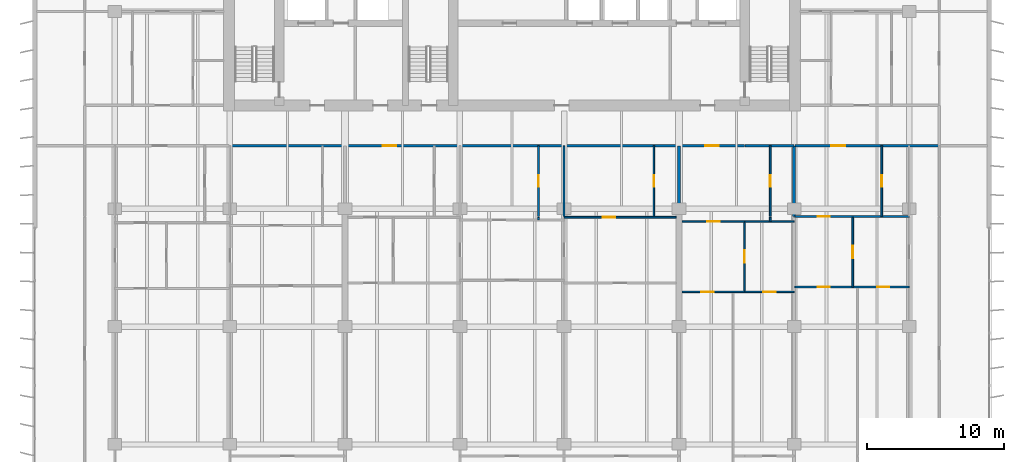
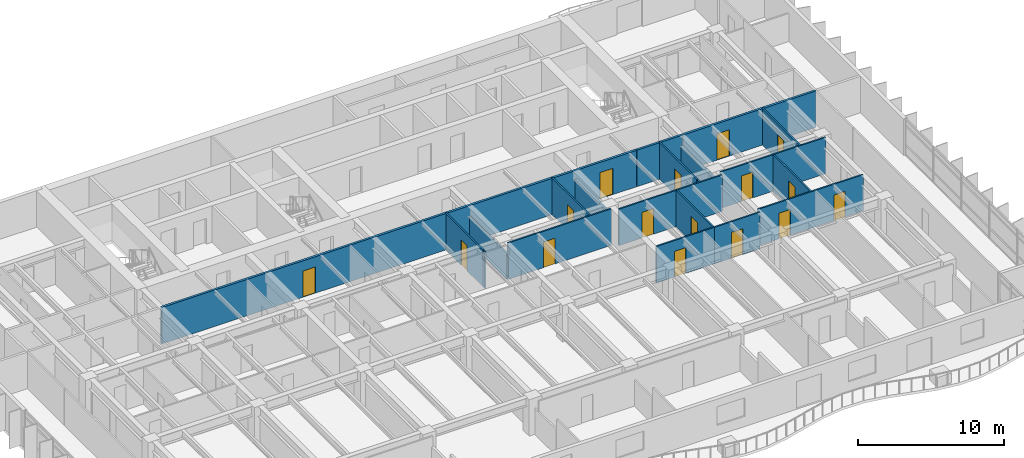
# One storey, part 8 of 15: 21 walls, 16 doors, 16 openings.
"""IFC4 building model written with IfcOpenShell, lengths in metres."""

from ifc_helpers import new_model, si_unit, direction, frame, frame_2d, origin, place, context, subcontext, project, spatial, rectangle, extrude, material, layer, layer_set, type_object, element, fill, save


model = new_model("IFC4")

# Units and contexts
model_context = context("Model", 3, precision=1e-05, world=origin(), true_north=direction((0.0, 1.0)))
body_context = subcontext(model_context, "Body", "Model", "MODEL_VIEW")
ifc_project = project(units=[si_unit("LENGTHUNIT", "METRE"), si_unit("AREAUNIT", "SQUARE_METRE"), si_unit("VOLUMEUNIT", "CUBIC_METRE"), si_unit("PLANEANGLEUNIT", "RADIAN"), si_unit("MASSUNIT", "GRAM", prefix="KILO")], contexts=[model_context])

# Site, building, storey
site_placement = place(None, origin())
site = spatial("IfcSite", under=ifc_project, at=site_placement, CompositionType="ELEMENT")
building_placement = place(site_placement, origin())
building = spatial("IfcBuilding", under=site, at=building_placement, Name="Caelmar Bay Residences", CompositionType="ELEMENT")
storey_placement = place(building_placement, frame((0.0, 0.0, 138.89990234375)))
storey = spatial("IfcBuildingStorey", under=building, at=storey_placement, Name="L38", CompositionType="ELEMENT", Elevation=138.89990234375)

# Wall, openings, doors
ifc_material_1 = material(Name="Double-stud acoustic fire-rated gypsum partition 180 mm")
ifc_layer_1 = layer(ifc_material_1, 0.179931640625)
ifc_layer_set_1 = layer_set([ifc_layer_1], Name="Double-stud acoustic fire-rated gypsum partition 180 mm")
wall_type_1 = type_object("IfcWallType", Name="W-COR-200", PredefinedType="PARTITIONING", material=ifc_layer_set_1)
wall_1_placement = place(storey_placement, frame((18.300048828125, 34.0, 0.0), z_axis=(0.0, 0.0, 1.0), x_axis=(1.0, 0.0, 0.0)))
wall_1 = element("IfcWall", 1, at=wall_1_placement, inside=storey, type_object=wall_type_1, Name="L38 Partition Wall H096", PredefinedType="PARTITIONING", context=body_context, shape_type="SweptSolid", body=[
    extrude(rectangle(XDim=37.5859375, YDim=0.179931640625, at=frame_2d((18.79296875, 0.0))), origin(), (0.0, 0.0, 1.0), 3.050048828125),
])
opening_1_placement = place(wall_1_placement, frame((11.16162109375, 0.0, 0.0)))
opening_1 = element("IfcOpeningElement", 2, at=opening_1_placement, cuts=wall_1, Name="Opening D-L38-132", PredefinedType="OPENING", context=body_context, shape_type="SweptSolid", body=[
    extrude(rectangle(XDim=1.0, YDim=2.199951171875, at=frame_2d((0.5, 1.10009765625))), frame((0.0, 0.099853515625, 0.0), z_axis=(0.0, -1.0, 0.0), x_axis=(1.0, 0.0, 0.0)), (0.0, 0.0, 1.0), 0.199951171875),
])
opening_2_placement = place(wall_1_placement, frame((34.693115234375, 0.0, 0.0)))
opening_2 = element("IfcOpeningElement", 3, at=opening_2_placement, cuts=wall_1, Name="Opening D-L38-147", PredefinedType="OPENING", context=body_context, shape_type="SweptSolid", body=[
    extrude(rectangle(XDim=1.0, YDim=2.199951171875, at=frame_2d((0.5, 1.10009765625))), frame((0.0, 0.099853515625, 0.0), z_axis=(0.0, -1.0, 0.0), x_axis=(1.0, 0.0, 0.0)), (0.0, 0.0, 1.0), 0.199951171875),
])
ifc_material_2 = material(Name="Fire-rated steel and walnut architectural door assembly", Category="steel")
ifc_layer_2 = layer(ifc_material_2, 0.050048828125)
ifc_layer_set_2 = layer_set([ifc_layer_2], Name="Fire-rated steel and walnut architectural door assembly")
door_type_1 = type_object("IfcDoorType", Name="D-UNIT-1000", OperationType="NOTDEFINED", PredefinedType="DOOR", material=ifc_layer_set_2)
door_1_placement = place(opening_1_placement, origin())
door_1 = element("IfcDoor", 4, at=door_1_placement, inside=storey, type_object=door_type_1, Name="L38 Residence 02 Apartment Hall Door", OperationType="SINGLE_SWING_LEFT", OverallHeight=2.199951171875, OverallWidth=1.0, PredefinedType="DOOR", context=body_context, shape_type="SweptSolid", body=[
    extrude(rectangle(XDim=1.0, YDim=2.199951171875, at=frame_2d((0.5, 1.10009765625))), frame((0.0, 0.02490234375, 0.0), z_axis=(0.0, -1.0, 0.0), x_axis=(1.0, 0.0, 0.0)), (0.0, 0.0, 1.0), 0.050048828125),
])
fill(opening_1, door_1)
door_2_placement = place(opening_2_placement, origin())
door_2 = element("IfcDoor", 5, at=door_2_placement, inside=storey, type_object=door_type_1, Name="L38 Residence 03 Apartment Hall Door", OperationType="SINGLE_SWING_RIGHT", OverallHeight=2.199951171875, OverallWidth=1.0, PredefinedType="DOOR", context=body_context, shape_type="SweptSolid", body=[
    extrude(rectangle(XDim=1.0, YDim=2.199951171875, at=frame_2d((0.5, 1.10009765625))), frame((0.0, 0.02490234375, 0.0), z_axis=(0.0, -1.0, 0.0), x_axis=(1.0, 0.0, 0.0)), (0.0, 0.0, 1.0), 0.050048828125),
])
fill(opening_2, door_2)

# Wall
wall_2_placement = place(storey_placement, frame((55.89990234375, 34.0, 0.0), z_axis=(0.0, 0.0, 1.0), x_axis=(1.0, 0.0, 0.0)))
element("IfcWall", 6, at=wall_2_placement, inside=storey, type_object=wall_type_1, Name="L38 Partition Wall H097", PredefinedType="PARTITIONING", context=body_context, shape_type="SweptSolid", body=[
    extrude(rectangle(XDim=3.60009765625, YDim=0.179931640625, at=frame_2d((1.800048828125, 0.0))), origin(), (0.0, 0.0, 1.0), 3.050048828125),
])

# Wall, opening, door
wall_3_placement = place(storey_placement, frame((59.550048828125, 34.0, 0.0), z_axis=(0.0, 0.0, 1.0), x_axis=(1.0, 0.0, 0.0)))
wall_3 = element("IfcWall", 7, at=wall_3_placement, inside=storey, type_object=wall_type_1, Name="L38 Partition Wall H098", PredefinedType="PARTITIONING", context=body_context, shape_type="SweptSolid", body=[
    extrude(rectangle(XDim=10.550048828125, YDim=0.179931640625, at=frame_2d((5.27490234375, 0.0))), origin(), (0.0, 0.0, 1.0), 3.050048828125),
])
opening_3_placement = place(wall_3_placement, frame((2.677001953125, 0.0, 0.0)))
opening_3 = element("IfcOpeningElement", 8, at=opening_3_placement, cuts=wall_3, Name="Opening D-L38-154", PredefinedType="OPENING", context=body_context, shape_type="SweptSolid", body=[
    extrude(rectangle(XDim=1.0, YDim=2.199951171875, at=frame_2d((0.5, 1.10009765625))), frame((0.0, 0.099853515625, 0.0), z_axis=(0.0, -1.0, 0.0), x_axis=(1.0, 0.0, 0.0)), (0.0, 0.0, 1.0), 0.199951171875),
])
door_3_placement = place(opening_3_placement, origin())
door_3 = element("IfcDoor", 9, at=door_3_placement, inside=storey, type_object=door_type_1, Name="L38 Residence 04 Apartment Hall Door", OperationType="SINGLE_SWING_LEFT", OverallHeight=2.199951171875, OverallWidth=1.0, PredefinedType="DOOR", context=body_context, shape_type="SweptSolid", body=[
    extrude(rectangle(XDim=1.0, YDim=2.199951171875, at=frame_2d((0.5, 1.10009765625))), frame((0.0, 0.02490234375, 0.0), z_axis=(0.0, -1.0, 0.0), x_axis=(1.0, 0.0, 0.0)), (0.0, 0.0, 1.0), 0.050048828125),
])
fill(opening_3, door_3)

# Wall
ifc_material_3 = material(Name="Acoustic metal-stud gypsum partition 120 mm")
ifc_layer_3 = layer(ifc_material_3, 0.1201171875)
ifc_layer_set_3 = layer_set([ifc_layer_3], Name="Acoustic metal-stud gypsum partition 120 mm")
wall_type_2 = type_object("IfcWallType", Name="W-PRT-120", PredefinedType="PARTITIONING", material=ifc_layer_set_3)
wall_4_placement = place(storey_placement, frame((40.8369140625, 28.580078125, 0.0), z_axis=(0.0, 0.0, 1.0), x_axis=(0.0, 1.0, 0.0)))
element("IfcWall", 10, at=wall_4_placement, inside=storey, type_object=wall_type_2, Name="L38 Partition Wall V032", PredefinedType="PARTITIONING", context=body_context, shape_type="SweptSolid", body=[
    extrude(rectangle(XDim=0.199951171875, YDim=0.1201171875, at=frame_2d((0.10009765625, 0.0))), origin(), (0.0, 0.0, 1.0), 3.050048828125),
])

# Wall, opening, door
wall_5_placement = place(storey_placement, frame((40.8369140625, 28.840087890625, 0.0), z_axis=(0.0, 0.0, 1.0), x_axis=(0.0, 1.0, 0.0)))
wall_5 = element("IfcWall", 11, at=wall_5_placement, inside=storey, type_object=wall_type_2, Name="L38 Partition Wall V033", PredefinedType="PARTITIONING", context=body_context, shape_type="SweptSolid", body=[
    extrude(rectangle(XDim=5.159912109375, YDim=0.1201171875, at=frame_2d((2.580078125, 0.0))), origin(), (0.0, 0.0, 1.0), 3.050048828125),
])
opening_4_placement = place(wall_5_placement, frame((2.155029296875, 0.0, 0.0)))
opening_4 = element("IfcOpeningElement", 12, at=opening_4_placement, cuts=wall_5, Name="Opening D-L38-139", PredefinedType="OPENING", context=body_context, shape_type="SweptSolid", body=[
    extrude(rectangle(XDim=0.85009765625, YDim=2.10009765625, at=frame_2d((0.425048828125, 1.050048828125))), frame((0.0, 0.070068359375, 0.0), z_axis=(0.0, -1.0, 0.0), x_axis=(1.0, 0.0, 0.0)), (0.0, 0.0, 1.0), 0.14013671875),
])
ifc_material_4 = material(Name="Solid walnut timber interior door leaf and frame", Category="wood")
ifc_layer_4 = layer(ifc_material_4, 0.050048828125)
ifc_layer_set_4 = layer_set([ifc_layer_4], Name="Solid walnut timber interior door leaf and frame")
door_type_2 = type_object("IfcDoorType", Name="D-BATH-850", OperationType="NOTDEFINED", PredefinedType="DOOR", material=ifc_layer_set_4)
door_4_placement = place(opening_4_placement, origin())
door_4 = element("IfcDoor", 13, at=door_4_placement, inside=storey, type_object=door_type_2, Name="L38 Residence 02 En-Suite Bathroom 1 Door", OperationType="SINGLE_SWING_RIGHT", OverallHeight=2.10009765625, OverallWidth=0.85009765625, PredefinedType="DOOR", context=body_context, shape_type="SweptSolid", body=[
    extrude(rectangle(XDim=0.85009765625, YDim=2.10009765625, at=frame_2d((0.425048828125, 1.050048828125))), frame((0.0, 0.02490234375, 0.0), z_axis=(0.0, -1.0, 0.0), x_axis=(1.0, 0.0, 0.0)), (0.0, 0.0, 1.0), 0.050048828125),
])
fill(opening_4, door_4)

# Wall
wall_6_placement = place(storey_placement, frame((42.699951171875, 28.840087890625, 0.0), z_axis=(0.0, 0.0, 1.0), x_axis=(0.0, 1.0, 0.0)))
element("IfcWall", 14, at=wall_6_placement, inside=storey, type_object=wall_type_2, Name="L38 Partition Wall V037", PredefinedType="PARTITIONING", context=body_context, shape_type="SweptSolid", body=[
    extrude(rectangle(XDim=5.159912109375, YDim=0.1201171875, at=frame_2d((2.580078125, 0.0))), origin(), (0.0, 0.0, 1.0), 2.174072265625),
])

# Wall, opening, door
wall_7_placement = place(storey_placement, frame((49.260986328125, 28.840087890625, 0.0), z_axis=(0.0, 0.0, 1.0), x_axis=(0.0, 1.0, 0.0)))
wall_7 = element("IfcWall", 15, at=wall_7_placement, inside=storey, type_object=wall_type_2, Name="L38 Partition Wall V042", PredefinedType="PARTITIONING", context=body_context, shape_type="SweptSolid", body=[
    extrude(rectangle(XDim=5.159912109375, YDim=0.1201171875, at=frame_2d((2.580078125, 0.0))), origin(), (0.0, 0.0, 1.0), 3.050048828125),
])
opening_5_placement = place(wall_7_placement, frame((2.155029296875, 0.0, 0.0)))
opening_5 = element("IfcOpeningElement", 16, at=opening_5_placement, cuts=wall_7, Name="Opening D-L38-144", PredefinedType="OPENING", context=body_context, shape_type="SweptSolid", body=[
    extrude(rectangle(XDim=0.85009765625, YDim=2.10009765625, at=frame_2d((0.425048828125, 1.050048828125))), frame((0.0, 0.070068359375, 0.0), z_axis=(0.0, -1.0, 0.0), x_axis=(1.0, 0.0, 0.0)), (0.0, 0.0, 1.0), 0.14013671875),
])
door_5_placement = place(opening_5_placement, origin())
door_5 = element("IfcDoor", 17, at=door_5_placement, inside=storey, type_object=door_type_2, Name="L38 Residence 02 En-Suite Bathroom 2 Door", OperationType="SINGLE_SWING_LEFT", OverallHeight=2.10009765625, OverallWidth=0.85009765625, PredefinedType="DOOR", context=body_context, shape_type="SweptSolid", body=[
    extrude(rectangle(XDim=0.85009765625, YDim=2.10009765625, at=frame_2d((0.425048828125, 1.050048828125))), frame((0.0, 0.02490234375, 0.0), z_axis=(0.0, -1.0, 0.0), x_axis=(1.0, 0.0, 0.0)), (0.0, 0.0, 1.0), 0.050048828125),
])
fill(opening_5, door_5)

wall_8_placement = place(storey_placement, frame((55.885986328125, 23.330078125, 0.0), z_axis=(0.0, 0.0, 1.0), x_axis=(0.0, 1.0, 0.0)))
wall_8 = element("IfcWall", 18, at=wall_8_placement, inside=storey, type_object=wall_type_2, Name="L38 Partition Wall V052", PredefinedType="PARTITIONING", context=body_context, shape_type="SweptSolid", body=[
    extrude(rectangle(XDim=5.14990234375, YDim=0.1201171875, at=frame_2d((2.574951171875, 0.0))), origin(), (0.0, 0.0, 1.0), 3.050048828125),
])
opening_6_placement = place(wall_8_placement, frame((2.125, 0.0, 0.0)))
opening_6 = element("IfcOpeningElement", 19, at=opening_6_placement, cuts=wall_8, Name="Opening D-L38-150", PredefinedType="OPENING", context=body_context, shape_type="SweptSolid", body=[
    extrude(rectangle(XDim=0.89990234375, YDim=2.14990234375, at=frame_2d((0.449951171875, 1.074951171875))), frame((0.0, 0.070068359375, 0.0), z_axis=(0.0, -1.0, 0.0), x_axis=(1.0, 0.0, 0.0)), (0.0, 0.0, 1.0), 0.14013671875),
])
ifc_layer_5 = layer(ifc_material_4, 0.050048828125)
ifc_layer_set_5 = layer_set([ifc_layer_5], Name="Solid walnut timber interior door leaf and frame")
door_type_3 = type_object("IfcDoorType", Name="D-ROOM-900", OperationType="NOTDEFINED", PredefinedType="DOOR", material=ifc_layer_set_5)
door_6_placement = place(opening_6_placement, origin())
door_6 = element("IfcDoor", 20, at=door_6_placement, inside=storey, type_object=door_type_3, Name="L38 Residence 03 Private Reception Salon Door", OperationType="SINGLE_SWING_LEFT", OverallHeight=2.14990234375, OverallWidth=0.89990234375, PredefinedType="DOOR", context=body_context, shape_type="SweptSolid", body=[
    extrude(rectangle(XDim=0.89990234375, YDim=2.14990234375, at=frame_2d((0.449951171875, 1.074951171875))), frame((0.0, 0.02490234375, 0.0), z_axis=(0.0, -1.0, 0.0), x_axis=(1.0, 0.0, 0.0)), (0.0, 0.0, 1.0), 0.050048828125),
])
fill(opening_6, door_6)

# Wall
wall_9_placement = place(storey_placement, frame((57.760986328125, 28.47998046875, 0.0), z_axis=(0.0, 0.0, 1.0), x_axis=(0.0, 1.0, 0.0)))
element("IfcWall", 21, at=wall_9_placement, inside=storey, type_object=wall_type_2, Name="L38 Partition Wall V054", PredefinedType="PARTITIONING", context=body_context, shape_type="SweptSolid", body=[
    extrude(rectangle(XDim=0.300048828125, YDim=0.1201171875, at=frame_2d((0.14990234375, 0.0))), origin(), (0.0, 0.0, 1.0), 3.050048828125),
])

# Wall, opening, door
wall_10_placement = place(storey_placement, frame((57.760986328125, 28.840087890625, 0.0), z_axis=(0.0, 0.0, 1.0), x_axis=(0.0, 1.0, 0.0)))
wall_10 = element("IfcWall", 22, at=wall_10_placement, inside=storey, type_object=wall_type_2, Name="L38 Partition Wall V055", PredefinedType="PARTITIONING", context=body_context, shape_type="SweptSolid", body=[
    extrude(rectangle(XDim=5.159912109375, YDim=0.1201171875, at=frame_2d((2.580078125, 0.0))), origin(), (0.0, 0.0, 1.0), 3.050048828125),
])
opening_7_placement = place(wall_10_placement, frame((2.155029296875, 0.0, 0.0)))
opening_7 = element("IfcOpeningElement", 23, at=opening_7_placement, cuts=wall_10, Name="Opening D-L38-148", PredefinedType="OPENING", context=body_context, shape_type="SweptSolid", body=[
    extrude(rectangle(XDim=0.85009765625, YDim=2.10009765625, at=frame_2d((0.425048828125, 1.050048828125))), frame((0.0, 0.070068359375, 0.0), z_axis=(0.0, -1.0, 0.0), x_axis=(1.0, 0.0, 0.0)), (0.0, 0.0, 1.0), 0.14013671875),
])
door_7_placement = place(opening_7_placement, origin())
door_7 = element("IfcDoor", 24, at=door_7_placement, inside=storey, type_object=door_type_2, Name="L38 Residence 03 Bathroom Door", OperationType="SINGLE_SWING_LEFT", OverallHeight=2.10009765625, OverallWidth=0.85009765625, PredefinedType="DOOR", context=body_context, shape_type="SweptSolid", body=[
    extrude(rectangle(XDim=0.85009765625, YDim=2.10009765625, at=frame_2d((0.425048828125, 1.050048828125))), frame((0.0, 0.02490234375, 0.0), z_axis=(0.0, -1.0, 0.0), x_axis=(1.0, 0.0, 0.0)), (0.0, 0.0, 1.0), 0.050048828125),
])
fill(opening_7, door_7)

wall_11_placement = place(storey_placement, frame((63.785888671875, 23.68994140625, 0.0), z_axis=(0.0, 0.0, 1.0), x_axis=(0.0, 1.0, 0.0)))
wall_11 = element("IfcWall", 25, at=wall_11_placement, inside=storey, type_object=wall_type_2, Name="L38 Partition Wall V060", PredefinedType="PARTITIONING", context=body_context, shape_type="SweptSolid", body=[
    extrude(rectangle(XDim=5.090087890625, YDim=0.1201171875, at=frame_2d((2.544921875, 0.0))), origin(), (0.0, 0.0, 1.0), 3.050048828125),
])
opening_8_placement = place(wall_11_placement, frame((2.094970703125, 0.0, 0.0)))
opening_8 = element("IfcOpeningElement", 26, at=opening_8_placement, cuts=wall_11, Name="Opening D-L38-157", PredefinedType="OPENING", context=body_context, shape_type="SweptSolid", body=[
    extrude(rectangle(XDim=0.89990234375, YDim=2.14990234375, at=frame_2d((0.449951171875, 1.074951171875))), frame((0.0, 0.070068359375, 0.0), z_axis=(0.0, -1.0, 0.0), x_axis=(1.0, 0.0, 0.0)), (0.0, 0.0, 1.0), 0.14013671875),
])
door_8_placement = place(opening_8_placement, origin())
door_8 = element("IfcDoor", 27, at=door_8_placement, inside=storey, type_object=door_type_3, Name="L38 Residence 04 Private Reception Salon Door", OperationType="SINGLE_SWING_RIGHT", OverallHeight=2.14990234375, OverallWidth=0.89990234375, PredefinedType="DOOR", context=body_context, shape_type="SweptSolid", body=[
    extrude(rectangle(XDim=0.89990234375, YDim=2.14990234375, at=frame_2d((0.449951171875, 1.074951171875))), frame((0.0, 0.02490234375, 0.0), z_axis=(0.0, -1.0, 0.0), x_axis=(1.0, 0.0, 0.0)), (0.0, 0.0, 1.0), 0.050048828125),
])
fill(opening_8, door_8)

wall_12_placement = place(storey_placement, frame((65.904052734375, 28.840087890625, 0.0), z_axis=(0.0, 0.0, 1.0), x_axis=(0.0, 1.0, 0.0)))
wall_12 = element("IfcWall", 28, at=wall_12_placement, inside=storey, type_object=wall_type_2, Name="L38 Partition Wall V063", PredefinedType="PARTITIONING", context=body_context, shape_type="SweptSolid", body=[
    extrude(rectangle(XDim=5.159912109375, YDim=0.1201171875, at=frame_2d((2.580078125, 0.0))), origin(), (0.0, 0.0, 1.0), 3.050048828125),
])
opening_9_placement = place(wall_12_placement, frame((2.155029296875, 0.0, 0.0)))
opening_9 = element("IfcOpeningElement", 29, at=opening_9_placement, cuts=wall_12, Name="Opening D-L38-155", PredefinedType="OPENING", context=body_context, shape_type="SweptSolid", body=[
    extrude(rectangle(XDim=0.85009765625, YDim=2.10009765625, at=frame_2d((0.425048828125, 1.050048828125))), frame((0.0, 0.070068359375, 0.0), z_axis=(0.0, -1.0, 0.0), x_axis=(1.0, 0.0, 0.0)), (0.0, 0.0, 1.0), 0.14013671875),
])
door_9_placement = place(opening_9_placement, origin())
door_9 = element("IfcDoor", 30, at=door_9_placement, inside=storey, type_object=door_type_2, Name="L38 Residence 04 Bathroom Door", OperationType="SINGLE_SWING_RIGHT", OverallHeight=2.10009765625, OverallWidth=0.85009765625, PredefinedType="DOOR", context=body_context, shape_type="SweptSolid", body=[
    extrude(rectangle(XDim=0.85009765625, YDim=2.10009765625, at=frame_2d((0.425048828125, 1.050048828125))), frame((0.0, 0.02490234375, 0.0), z_axis=(0.0, -1.0, 0.0), x_axis=(1.0, 0.0, 0.0)), (0.0, 0.0, 1.0), 0.050048828125),
])
fill(opening_9, door_9)

wall_13_placement = place(storey_placement, frame((51.320068359375, 23.330078125, 0.0), z_axis=(0.0, 0.0, 1.0), x_axis=(1.0, 0.0, 0.0)))
wall_13 = element("IfcWall", 31, at=wall_13_placement, inside=storey, type_object=wall_type_2, Name="L38 Partition Wall H078", PredefinedType="PARTITIONING", context=body_context, shape_type="SweptSolid", body=[
    extrude(rectangle(XDim=4.56591796875, YDim=0.1201171875, at=frame_2d((2.282958984375, 0.0))), origin(), (0.0, 0.0, 1.0), 3.050048828125),
])
opening_10_placement = place(wall_13_placement, frame((1.4140625, 0.0, 0.0)))
opening_10 = element("IfcOpeningElement", 32, at=opening_10_placement, cuts=wall_13, Name="Opening D-L38-151", PredefinedType="OPENING", context=body_context, shape_type="SweptSolid", body=[
    extrude(rectangle(XDim=0.89990234375, YDim=2.14990234375, at=frame_2d((0.449951171875, 1.074951171875))), frame((0.0, 0.070068359375, 0.0), z_axis=(0.0, -1.0, 0.0), x_axis=(1.0, 0.0, 0.0)), (0.0, 0.0, 1.0), 0.14013671875),
])
door_10_placement = place(opening_10_placement, origin())
door_10 = element("IfcDoor", 33, at=door_10_placement, inside=storey, type_object=door_type_3, Name="L38 Residence 03 Living Room Door", OperationType="SINGLE_SWING_RIGHT", OverallHeight=2.14990234375, OverallWidth=0.89990234375, PredefinedType="DOOR", context=body_context, shape_type="SweptSolid", body=[
    extrude(rectangle(XDim=0.89990234375, YDim=2.14990234375, at=frame_2d((0.449951171875, 1.074951171875))), frame((0.0, 0.02490234375, 0.0), z_axis=(0.0, -1.0, 0.0), x_axis=(1.0, 0.0, 0.0)), (0.0, 0.0, 1.0), 0.050048828125),
])
fill(opening_10, door_10)

wall_14_placement = place(storey_placement, frame((55.89990234375, 23.330078125, 0.0), z_axis=(0.0, 0.0, 1.0), x_axis=(1.0, 0.0, 0.0)))
wall_14 = element("IfcWall", 34, at=wall_14_placement, inside=storey, type_object=wall_type_2, Name="L38 Partition Wall H079", PredefinedType="PARTITIONING", context=body_context, shape_type="SweptSolid", body=[
    extrude(rectangle(XDim=3.60009765625, YDim=0.1201171875, at=frame_2d((1.800048828125, 0.0))), origin(), (0.0, 0.0, 1.0), 3.050048828125),
])
opening_11_placement = place(wall_14_placement, frame((1.35009765625, 0.0, 0.0)))
opening_11 = element("IfcOpeningElement", 35, at=opening_11_placement, cuts=wall_14, Name="Opening D-L38-152", PredefinedType="OPENING", context=body_context, shape_type="SweptSolid", body=[
    extrude(rectangle(XDim=0.89990234375, YDim=2.14990234375, at=frame_2d((0.449951171875, 1.074951171875))), frame((0.0, 0.070068359375, 0.0), z_axis=(0.0, -1.0, 0.0), x_axis=(1.0, 0.0, 0.0)), (0.0, 0.0, 1.0), 0.14013671875),
])
door_11_placement = place(opening_11_placement, origin())
door_11 = element("IfcDoor", 36, at=door_11_placement, inside=storey, type_object=door_type_3, Name="L38 Residence 03 Penthouse Sitting Room Door", OperationType="SINGLE_SWING_LEFT", OverallHeight=2.14990234375, OverallWidth=0.89990234375, PredefinedType="DOOR", context=body_context, shape_type="SweptSolid", body=[
    extrude(rectangle(XDim=0.89990234375, YDim=2.14990234375, at=frame_2d((0.449951171875, 1.074951171875))), frame((0.0, 0.02490234375, 0.0), z_axis=(0.0, -1.0, 0.0), x_axis=(1.0, 0.0, 0.0)), (0.0, 0.0, 1.0), 0.050048828125),
])
fill(opening_11, door_11)

# Wall, openings, doors
wall_15_placement = place(storey_placement, frame((59.550048828125, 23.68994140625, 0.0), z_axis=(0.0, 0.0, 1.0), x_axis=(1.0, 0.0, 0.0)))
wall_15 = element("IfcWall", 37, at=wall_15_placement, inside=storey, type_object=wall_type_2, Name="L38 Partition Wall H081", PredefinedType="PARTITIONING", context=body_context, shape_type="SweptSolid", body=[
    extrude(rectangle(XDim=8.349853515625, YDim=0.1201171875, at=frame_2d((4.1748046875, 0.0))), origin(), (0.0, 0.0, 1.0), 3.050048828125),
])
opening_12_placement = place(wall_15_placement, frame((1.66796875, 0.0, 0.0)))
opening_12 = element("IfcOpeningElement", 38, at=opening_12_placement, cuts=wall_15, Name="Opening D-L38-158", PredefinedType="OPENING", context=body_context, shape_type="SweptSolid", body=[
    extrude(rectangle(XDim=0.89990234375, YDim=2.14990234375, at=frame_2d((0.449951171875, 1.074951171875))), frame((0.0, 0.070068359375, 0.0), z_axis=(0.0, -1.0, 0.0), x_axis=(1.0, 0.0, 0.0)), (0.0, 0.0, 1.0), 0.14013671875),
])
opening_13_placement = place(wall_15_placement, frame((6.010009765625, 0.0, 0.0)))
opening_13 = element("IfcOpeningElement", 39, at=opening_13_placement, cuts=wall_15, Name="Opening D-L38-159", PredefinedType="OPENING", context=body_context, shape_type="SweptSolid", body=[
    extrude(rectangle(XDim=0.89990234375, YDim=2.14990234375, at=frame_2d((0.449951171875, 1.074951171875))), frame((0.0, 0.070068359375, 0.0), z_axis=(0.0, -1.0, 0.0), x_axis=(1.0, 0.0, 0.0)), (0.0, 0.0, 1.0), 0.14013671875),
])
door_12_placement = place(opening_12_placement, origin())
door_12 = element("IfcDoor", 40, at=door_12_placement, inside=storey, type_object=door_type_3, Name="L38 Residence 04 Penthouse Living Salon Door", OperationType="SINGLE_SWING_LEFT", OverallHeight=2.14990234375, OverallWidth=0.89990234375, PredefinedType="DOOR", context=body_context, shape_type="SweptSolid", body=[
    extrude(rectangle(XDim=0.89990234375, YDim=2.14990234375, at=frame_2d((0.449951171875, 1.074951171875))), frame((0.0, 0.02490234375, 0.0), z_axis=(0.0, -1.0, 0.0), x_axis=(1.0, 0.0, 0.0)), (0.0, 0.0, 1.0), 0.050048828125),
])
fill(opening_12, door_12)
door_13_placement = place(opening_13_placement, origin())
door_13 = element("IfcDoor", 41, at=door_13_placement, inside=storey, type_object=door_type_3, Name="L38 Residence 04 Penthouse Sitting Room Door", OperationType="SINGLE_SWING_RIGHT", OverallHeight=2.14990234375, OverallWidth=0.89990234375, PredefinedType="DOOR", context=body_context, shape_type="SweptSolid", body=[
    extrude(rectangle(XDim=0.89990234375, YDim=2.14990234375, at=frame_2d((0.449951171875, 1.074951171875))), frame((0.0, 0.02490234375, 0.0), z_axis=(0.0, -1.0, 0.0), x_axis=(1.0, 0.0, 0.0)), (0.0, 0.0, 1.0), 0.050048828125),
])
fill(opening_13, door_13)

# Wall, opening, door
wall_16_placement = place(storey_placement, frame((51.320068359375, 28.47998046875, 0.0), z_axis=(0.0, 0.0, 1.0), x_axis=(1.0, 0.0, 0.0)))
wall_16 = element("IfcWall", 42, at=wall_16_placement, inside=storey, type_object=wall_type_2, Name="L38 Partition Wall H088", PredefinedType="PARTITIONING", context=body_context, shape_type="SweptSolid", body=[
    extrude(rectangle(XDim=4.56591796875, YDim=0.1201171875, at=frame_2d((2.282958984375, 0.0))), origin(), (0.0, 0.0, 1.0), 3.050048828125),
])
opening_14_placement = place(wall_16_placement, frame((1.8330078125, 0.0, 0.0)))
opening_14 = element("IfcOpeningElement", 43, at=opening_14_placement, cuts=wall_16, Name="Opening D-L38-149", PredefinedType="OPENING", context=body_context, shape_type="SweptSolid", body=[
    extrude(rectangle(XDim=0.89990234375, YDim=2.14990234375, at=frame_2d((0.449951171875, 1.074951171875))), frame((0.0, 0.070068359375, 0.0), z_axis=(0.0, -1.0, 0.0), x_axis=(1.0, 0.0, 0.0)), (0.0, 0.0, 1.0), 0.14013671875),
])
door_14_placement = place(opening_14_placement, origin())
door_14 = element("IfcDoor", 44, at=door_14_placement, inside=storey, type_object=door_type_3, Name="L38 Residence 03 Kitchen Door", OperationType="SINGLE_SWING_RIGHT", OverallHeight=2.14990234375, OverallWidth=0.89990234375, PredefinedType="DOOR", context=body_context, shape_type="SweptSolid", body=[
    extrude(rectangle(XDim=0.89990234375, YDim=2.14990234375, at=frame_2d((0.449951171875, 1.074951171875))), frame((0.0, 0.02490234375, 0.0), z_axis=(0.0, -1.0, 0.0), x_axis=(1.0, 0.0, 0.0)), (0.0, 0.0, 1.0), 0.050048828125),
])
fill(opening_14, door_14)

# Wall
wall_17_placement = place(storey_placement, frame((55.89990234375, 28.47998046875, 0.0), z_axis=(0.0, 0.0, 1.0), x_axis=(1.0, 0.0, 0.0)))
element("IfcWall", 45, at=wall_17_placement, inside=storey, type_object=wall_type_2, Name="L38 Partition Wall H089", PredefinedType="PARTITIONING", context=body_context, shape_type="SweptSolid", body=[
    extrude(rectangle(XDim=3.60009765625, YDim=0.1201171875, at=frame_2d((1.800048828125, 0.0))), origin(), (0.0, 0.0, 1.0), 3.050048828125),
])

# Wall, opening, door
wall_18_placement = place(storey_placement, frame((42.699951171875, 28.780029296875, 0.0), z_axis=(0.0, 0.0, 1.0), x_axis=(1.0, 0.0, 0.0)))
wall_18 = element("IfcWall", 46, at=wall_18_placement, inside=storey, type_object=wall_type_2, Name="L38 Partition Wall H092", PredefinedType="PARTITIONING", context=body_context, shape_type="SweptSolid", body=[
    extrude(rectangle(XDim=8.179931640625, YDim=0.1201171875, at=frame_2d((4.08984375, 0.0))), origin(), (0.0, 0.0, 1.0), 3.050048828125),
])
opening_15_placement = place(wall_18_placement, frame((2.83056640625, 0.0, 0.0)))
opening_15 = element("IfcOpeningElement", 47, at=opening_15_placement, cuts=wall_18, Name="Opening D-L38-143", PredefinedType="OPENING", context=body_context, shape_type="SweptSolid", body=[
    extrude(rectangle(XDim=0.89990234375, YDim=2.14990234375, at=frame_2d((0.449951171875, 1.074951171875))), frame((0.0, 0.070068359375, 0.0), z_axis=(0.0, -1.0, 0.0), x_axis=(1.0, 0.0, 0.0)), (0.0, 0.0, 1.0), 0.14013671875),
])
door_15_placement = place(opening_15_placement, origin())
door_15 = element("IfcDoor", 48, at=door_15_placement, inside=storey, type_object=door_type_3, Name="L38 Residence 02 Private Reception Room 2 Door", OperationType="SINGLE_SWING_RIGHT", OverallHeight=2.14990234375, OverallWidth=0.89990234375, PredefinedType="DOOR", context=body_context, shape_type="SweptSolid", body=[
    extrude(rectangle(XDim=0.89990234375, YDim=2.14990234375, at=frame_2d((0.449951171875, 1.074951171875))), frame((0.0, 0.02490234375, 0.0), z_axis=(0.0, -1.0, 0.0), x_axis=(1.0, 0.0, 0.0)), (0.0, 0.0, 1.0), 0.050048828125),
])
fill(opening_15, door_15)

wall_19_placement = place(storey_placement, frame((59.550048828125, 28.840087890625, 0.0), z_axis=(0.0, 0.0, 1.0), x_axis=(1.0, 0.0, 0.0)))
wall_19 = element("IfcWall", 49, at=wall_19_placement, inside=storey, type_object=wall_type_2, Name="L38 Partition Wall H093", PredefinedType="PARTITIONING", context=body_context, shape_type="SweptSolid", body=[
    extrude(rectangle(XDim=8.349853515625, YDim=0.1201171875, at=frame_2d((4.1748046875, 0.0))), origin(), (0.0, 0.0, 1.0), 3.050048828125),
])
opening_16_placement = place(wall_19_placement, frame((1.66796875, 0.0, 0.0)))
opening_16 = element("IfcOpeningElement", 50, at=opening_16_placement, cuts=wall_19, Name="Opening D-L38-156", PredefinedType="OPENING", context=body_context, shape_type="SweptSolid", body=[
    extrude(rectangle(XDim=0.89990234375, YDim=2.14990234375, at=frame_2d((0.449951171875, 1.074951171875))), frame((0.0, 0.070068359375, 0.0), z_axis=(0.0, -1.0, 0.0), x_axis=(1.0, 0.0, 0.0)), (0.0, 0.0, 1.0), 0.14013671875),
])
door_16_placement = place(opening_16_placement, origin())
door_16 = element("IfcDoor", 51, at=door_16_placement, inside=storey, type_object=door_type_3, Name="L38 Residence 04 Kitchen Door", OperationType="SINGLE_SWING_LEFT", OverallHeight=2.14990234375, OverallWidth=0.89990234375, PredefinedType="DOOR", context=body_context, shape_type="SweptSolid", body=[
    extrude(rectangle(XDim=0.89990234375, YDim=2.14990234375, at=frame_2d((0.449951171875, 1.074951171875))), frame((0.0, 0.02490234375, 0.0), z_axis=(0.0, -1.0, 0.0), x_axis=(1.0, 0.0, 0.0)), (0.0, 0.0, 1.0), 0.050048828125),
])
fill(opening_16, door_16)

# Walls
ifc_material_5 = material(Name="Acoustic twin-stud fire-rated inter-tenancy partition 200 mm")
ifc_layer_6 = layer(ifc_material_5, 0.199951171875)
ifc_layer_set_6 = layer_set([ifc_layer_6], Name="Acoustic twin-stud fire-rated inter-tenancy partition 200 mm")
wall_type_3 = type_object("IfcWallType", Name="W-PTY-200", PredefinedType="PARTITIONING", material=ifc_layer_set_6)
wall_20_placement = place(storey_placement, frame((51.10009765625, 29.405029296875, 0.0), z_axis=(0.0, 0.0, 1.0), x_axis=(0.0, 1.0, 0.0)))
element("IfcWall", 52, at=wall_20_placement, inside=storey, type_object=wall_type_3, Name="L38 Partition Wall V048", PredefinedType="PARTITIONING", context=body_context, shape_type="SweptSolid", body=[
    extrude(rectangle(XDim=4.594970703125, YDim=0.199951171875, at=frame_2d((2.29736328125, 0.0))), origin(), (0.0, 0.0, 1.0), 2.335205078125),
])
wall_21_placement = place(storey_placement, frame((59.5, 28.840087890625, 0.0), z_axis=(0.0, 0.0, 1.0), x_axis=(0.0, 1.0, 0.0)))
element("IfcWall", 53, at=wall_21_placement, inside=storey, type_object=wall_type_3, Name="L38 Partition Wall V058", PredefinedType="PARTITIONING", context=body_context, shape_type="SweptSolid", body=[
    extrude(rectangle(XDim=5.159912109375, YDim=0.199951171875, at=frame_2d((2.580078125, 0.0))), origin(), (0.0, 0.0, 1.0), 2.174072265625),
])

save(model, "model.ifc")
